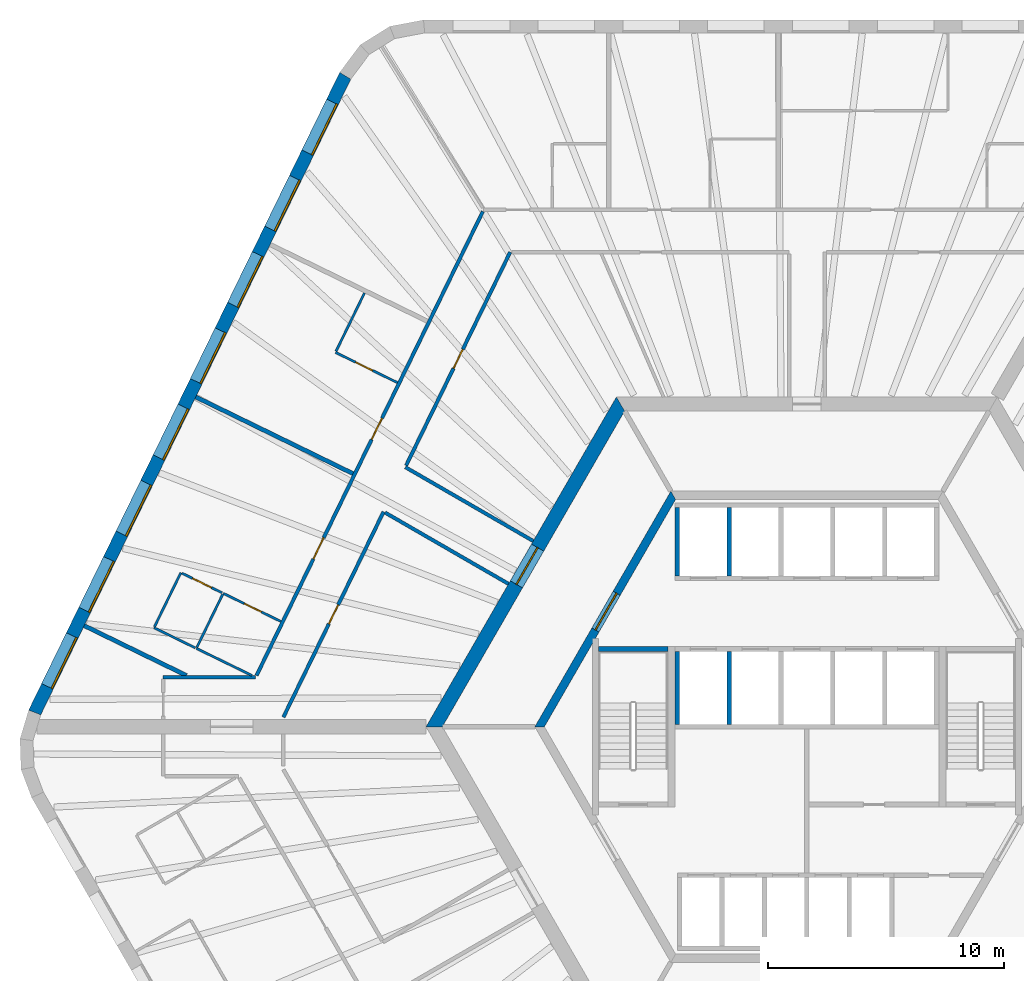
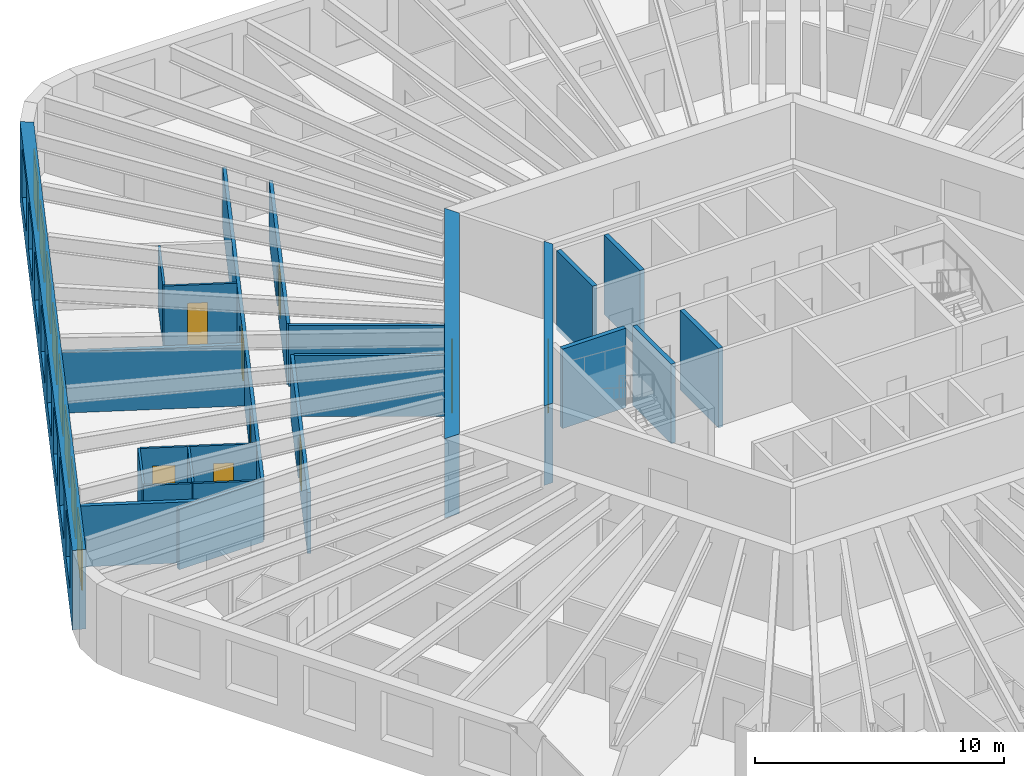
# One storey, part 7 of 12: 24 walls, 9 doors, 8 windows, 17 openings.
"""IFC4 building model written with IfcOpenShell, lengths in metres."""

import ifcopenshell
import ifcopenshell.guid

model = None  # the IFC model being written
_history = None  # IfcOwnerHistory: only IFC2X3 demands one
_inside = {}  # id of a spatial element -> (the spatial element, [elements in it])
_under = {}  # id of a project, library or spatial element -> (it, [spatial elements below it])
_declared = {}  # id of a project -> (the project, [libraries it declares])
_typed = {}  # id of a type object -> (the type object, [elements of that type])
_made_of = {}  # id of a material, layer set ... -> (it, [elements and type objects made of it])


def new_model(schema):
    """Start an empty IFC model of exactly this schema.

    Asked for "IFC4X3", IfcOpenShell would pick the latest addendum, in which some entities
    have other attributes; the version numbers below select the first issue.
    IFC2X3 requires an IfcOwnerHistory on every rooted entity: one is made here for all.
    """
    global model, _history
    if schema == "IFC4X3":
        model = ifcopenshell.file(schema_version=(4, 3, 0, 0))
    else:
        model = ifcopenshell.file(schema=schema)
    _inside.clear()
    _under.clear()
    _declared.clear()
    _typed.clear()
    _made_of.clear()
    _history = None
    if model.schema == "IFC2X3":
        org = make("IfcOrganization", Name="unknown")
        user = make(
            "IfcPersonAndOrganization",
            ThePerson=make("IfcPerson", FamilyName="unknown"),
            TheOrganization=org,
        )
        app = make(
            "IfcApplication",
            ApplicationDeveloper=org,
            Version="unknown",
            ApplicationFullName="unknown",
            ApplicationIdentifier="unknown",
        )
        _history = make(
            "IfcOwnerHistory",
            OwningUser=user,
            OwningApplication=app,
            ChangeAction="ADDED",
            CreationDate=0,
        )
    return model


def make(cls, **values):
    """One entity of the class cls with the attributes given. An attribute that is None is left unset."""
    return model.create_entity(
        cls, **{name: value for name, value in values.items() if value is not None}
    )


def rooted(cls, **values):
    """An entity with a GlobalId (a new one), such as an element, a storey or a relation."""
    return make(cls, GlobalId=ifcopenshell.guid.new(), OwnerHistory=_history, **values)


def si_unit(unit_type, name, prefix=None):
    """IfcSIUnit, for example si_unit("LENGTHUNIT", "METRE", prefix="MILLI")."""
    return make("IfcSIUnit", UnitType=unit_type, Prefix=prefix, Name=name)


def assignment(units):
    """IfcUnitAssignment: the units of a project."""
    return None if units is None else make("IfcUnitAssignment", Units=units)


def point(xyz):
    """IfcCartesianPoint."""
    return None if xyz is None else make("IfcCartesianPoint", Coordinates=xyz)


def direction(xyz):
    """IfcDirection."""
    return None if xyz is None else make("IfcDirection", DirectionRatios=xyz)


def frame(location, z_axis=None, x_axis=None):
    """IfcAxis2Placement3D, a coordinate frame: its origin and axes. An axis left out is left unset."""
    return make(
        "IfcAxis2Placement3D",
        Location=point(location),
        Axis=direction(z_axis),
        RefDirection=direction(x_axis),
    )


def frame_2d(location, x_axis=None):
    """IfcAxis2Placement2D, a coordinate frame in the plane: its origin and x axis."""
    return make(
        "IfcAxis2Placement2D", Location=point(location), RefDirection=direction(x_axis)
    )


def origin():
    """The frame at (0, 0, 0) with its axes left unset."""
    return frame((0.0, 0.0, 0.0))


def place(relative_to, where):
    """IfcLocalPlacement: puts the frame where relative to a parent placement (None: the world)."""
    return make(
        "IfcLocalPlacement", PlacementRelTo=relative_to, RelativePlacement=where
    )


def context(
    kind, dimensions, precision=None, world=None, true_north=None, identifier=None
):
    """IfcGeometricRepresentationContext, for example the 3D "Model" context."""
    return make(
        "IfcGeometricRepresentationContext",
        ContextIdentifier=identifier,
        ContextType=kind,
        CoordinateSpaceDimension=dimensions,
        Precision=precision,
        WorldCoordinateSystem=world,
        TrueNorth=true_north,
    )


def subcontext(parent, identifier, kind, view, scale=None):
    """IfcGeometricRepresentationSubContext, for example "Body" below "Model"."""
    return make(
        "IfcGeometricRepresentationSubContext",
        ContextIdentifier=identifier,
        ContextType=kind,
        ParentContext=parent,
        TargetScale=scale,
        TargetView=view,
    )


def project(units=None, contexts=None):
    """IfcProject with its units and contexts."""
    return rooted(
        "IfcProject",
        Name="project",
        RepresentationContexts=contexts,
        UnitsInContext=assignment(units),
    )


def spatial(cls, under=None, at=None, **own):
    """A site, building, storey or space (cls), placed at a placement, below another one or the project."""
    s = rooted(cls, ObjectPlacement=at, **own)
    if under is not None:
        _under.setdefault(under.id(), (under, []))[1].append(s)
    return s


def polyline(points):
    """IfcPolyline through the points."""
    return make("IfcPolyline", Points=[point(p) for p in points])


def profile(cls, at=None, kind="AREA", **sizes):
    """A parametric profile (cls). Its sizes go by their IFC names, for example OverallWidth=200.0."""
    return make(cls, ProfileType=kind, Position=at, **sizes)


def rectangle(**sizes):
    """IfcRectangleProfileDef."""
    return profile("IfcRectangleProfileDef", **sizes)


def outline(outer, holes=None, kind="AREA"):
    """IfcArbitraryClosedProfileDef: a profile drawn as a closed curve; with holes, ...WithVoids."""
    if holes is None:
        return make("IfcArbitraryClosedProfileDef", ProfileType=kind, OuterCurve=outer)
    return make(
        "IfcArbitraryProfileDefWithVoids",
        ProfileType=kind,
        OuterCurve=outer,
        InnerCurves=holes,
    )


def extrude(swept, where, along, depth):
    """IfcExtrudedAreaSolid: the profile swept, set in the frame where, extruded along a direction by depth."""
    return make(
        "IfcExtrudedAreaSolid",
        SweptArea=swept,
        Position=where,
        ExtrudedDirection=direction(along),
        Depth=depth,
    )


def shape(context_of_items, identifier, shape_type, items):
    """IfcShapeRepresentation: the items that make up one representation, for example the "Body"."""
    return make(
        "IfcShapeRepresentation",
        ContextOfItems=context_of_items,
        RepresentationIdentifier=identifier,
        RepresentationType=shape_type,
        Items=items,
    )


def material(Name=None, Category=None):
    """IfcMaterial."""
    return make("IfcMaterial", Name=Name, Category=Category)


def layer(
    of_material, thickness, ventilated=None, Name=None, Category=None, Priority=None
):
    """IfcMaterialLayer: one layer of a wall or slab, of a material (None: an air gap)."""
    return make(
        "IfcMaterialLayer",
        Material=of_material,
        LayerThickness=thickness,
        IsVentilated=ventilated,
        Name=Name,
        Category=Category,
        Priority=Priority,
    )


def layer_set(layers, Name=None):
    """IfcMaterialLayerSet."""
    return make("IfcMaterialLayerSet", MaterialLayers=layers, LayerSetName=Name)


def made_of(thing, what):
    """Note that an element or type object is made of a material, layer set ...; save() writes the relation."""
    if what is not None:
        _made_of.setdefault(what.id(), (what, []))[1].append(thing)
    return thing


def type_object(cls, material=None, **own):
    """A type object (cls), such as IfcWallType, which elements share."""
    return made_of(rooted(cls, **own), material)


def element(
    cls,
    number,
    at=None,
    inside=None,
    cuts=None,
    type_object=None,
    material=None,
    context=None,
    identifier="Body",
    shape_type=None,
    held_by="IfcProductDefinitionShape",
    body=None,
    shapes=None,
    **own,
):
    """One element of the class cls, such as IfcWall. Its Tag is "e" and its number.

    at: its placement. inside: the storey or other place that contains it. cuts: it is an
    opening in that element (IfcRelVoidsElement). A single representation is given by context,
    identifier, shape_type and body (its items); several are given by shapes. held_by: the class
    of the entity that holds the representations. save() writes the other relations.
    """
    e = rooted(cls, Tag="e%d" % number, ObjectPlacement=at, **own)
    if body is not None:
        shapes = [shape(context, identifier, shape_type, body)]
    if shapes is not None:
        e.Representation = make(held_by, Representations=shapes)
    if inside is not None:
        _inside.setdefault(inside.id(), (inside, []))[1].append(e)
    if cuts is not None:
        rooted(
            "IfcRelVoidsElement", RelatingBuildingElement=cuts, RelatedOpeningElement=e
        )
    if type_object is not None:
        _typed.setdefault(type_object.id(), (type_object, []))[1].append(e)
    return made_of(e, material)


def fill(opening, filler):
    """IfcRelFillsElement: the door or window that sits in an opening."""
    return rooted(
        "IfcRelFillsElement",
        RelatingOpeningElement=opening,
        RelatedBuildingElement=filler,
    )


def aggregate(whole, parts):
    """IfcRelAggregates: a whole, such as a stair, and the parts it consists of."""
    return rooted("IfcRelAggregates", RelatingObject=whole, RelatedObjects=parts)


def save(model, path):
    """Write the relations noted so far, then the file.

    IfcRelAggregates (storeys below a building ...), IfcRelContainedInSpatialStructure (elements
    in a storey), IfcRelDefinesByType, IfcRelAssociatesMaterial and IfcRelDeclares: one each for
    every whole, place, type object, material and project.
    """
    for whole, parts in _under.values():
        aggregate(whole, parts)
    for where, things in _inside.values():
        rooted(
            "IfcRelContainedInSpatialStructure",
            RelatedElements=things,
            RelatingStructure=where,
        )
    for kind, things in _typed.values():
        rooted("IfcRelDefinesByType", RelatedObjects=things, RelatingType=kind)
    for what, things in _made_of.values():
        rooted("IfcRelAssociatesMaterial", RelatedObjects=things, RelatingMaterial=what)
    for by, libraries in _declared.values():
        rooted("IfcRelDeclares", RelatingContext=by, RelatedDefinitions=libraries)
    model.write(path)


model = new_model("IFC4")

# Units and contexts
model_context = context("Model", 3, precision=1e-05, world=origin(), true_north=direction((0.0, 1.0)))
body_context = subcontext(model_context, "Body", "Model", "MODEL_VIEW")
ifc_project = project(units=[si_unit("LENGTHUNIT", "METRE"), si_unit("AREAUNIT", "SQUARE_METRE"), si_unit("VOLUMEUNIT", "CUBIC_METRE"), si_unit("PLANEANGLEUNIT", "RADIAN"), si_unit("MASSUNIT", "GRAM", prefix="KILO")], contexts=[model_context])

# Site, building, storey
site_placement = place(None, origin())
site = spatial("IfcSite", under=ifc_project, at=site_placement, CompositionType="ELEMENT")
building_placement = place(site_placement, origin())
building = spatial("IfcBuilding", under=site, at=building_placement, Name="Tarnside Tower", CompositionType="ELEMENT")
storey_placement = place(building_placement, frame((0.0, 0.0, 127.199951171875)))
storey = spatial("IfcBuildingStorey", under=building, at=storey_placement, Name="L29", CompositionType="ELEMENT", Elevation=127.199951171875)

# Wall, opening, door
ifc_material_1 = material(Name="Gypsum board partition on steel studs", Category="steel")
ifc_layer_1 = layer(ifc_material_1, 0.10009765625)
ifc_layer_set_1 = layer_set([ifc_layer_1], Name="Bathroom wall 100")
wall_type_1 = type_object("IfcWallType", Name="Bathroom wall 100", PredefinedType="PARTITIONING", material=ifc_layer_set_1)
wall_1_placement = place(storey_placement, frame((-17.380126953125, 14.6083984375, 0.0), z_axis=(0.0, 0.0, 1.0), x_axis=(-0.898790906006, 0.438377585285, 0.0)))
wall_1 = element("IfcWall", 1, at=wall_1_placement, inside=storey, type_object=wall_type_1, Name="Bathroom wall 09098", PredefinedType="PARTITIONING", context=body_context, shape_type="SweptSolid", body=[
    extrude(rectangle(XDim=2.925048828125, YDim=0.10009765625, at=frame_2d((1.46240234375, 0.0))), origin(), (0.0, 0.0, 1.0), 2.98779296875),
])
opening_1_placement = place(wall_1_placement, frame((1.175048828125, 0.0, 0.0)))
opening_1 = element("IfcOpeningElement", 2, at=opening_1_placement, cuts=wall_1, Name="Opening D-B1", PredefinedType="OPENING", context=body_context, shape_type="SweptSolid", body=[
    extrude(rectangle(XDim=0.800048828125, YDim=2.10009765625, at=frame_2d((0.39990234375, 1.050048828125))), frame((0.0, 0.06005859375, 0.0), z_axis=(0.0, -1.0, 0.0), x_axis=(1.0, 0.0, 0.0)), (0.0, 0.0, 1.0), 0.1201171875),
])
ifc_material_2 = material(Name="Timber door leaf", Category="wood")
door_type_1 = type_object("IfcDoorType", Name="Bathroom door 800", OperationType="NOTDEFINED", PredefinedType="DOOR", material=ifc_material_2)
door_1_placement = place(opening_1_placement, origin())
door_1 = element("IfcDoor", 3, at=door_1_placement, inside=storey, type_object=door_type_1, Name="Bathroom door 09010", OperationType="SINGLE_SWING_LEFT", OverallHeight=2.10009765625, OverallWidth=0.800048828125, PredefinedType="DOOR", context=body_context, shape_type="SweptSolid", body=[
    extrude(rectangle(XDim=0.800048828125, YDim=2.10009765625, at=frame_2d((0.39990234375, 1.050048828125))), frame((0.0, 0.02490234375, 0.0), z_axis=(0.0, -1.0, 0.0), x_axis=(1.0, 0.0, 0.0)), (0.0, 0.0, 1.0), 0.050048828125),
])
fill(opening_1, door_1)

# Walls
wall_2_placement = place(storey_placement, frame((-19.987060546875, 15.935546875, 0.0), z_axis=(0.0, 0.0, 1.0), x_axis=(0.438381805748, 0.898788847499, 0.0)))
element("IfcWall", 4, at=wall_2_placement, inside=storey, type_object=wall_type_1, Name="Bathroom wall 09099", PredefinedType="PARTITIONING", context=body_context, shape_type="SweptSolid", body=[
    extrude(rectangle(XDim=2.760009765625, YDim=0.10009765625, at=frame_2d((1.3798828125, 0.0))), origin(), (0.0, 0.0, 1.0), 2.98779296875),
])
wall_3_placement = place(storey_placement, frame((-23.551025390625, 2.175048828125, 0.0), z_axis=(0.0, 0.0, 1.0), x_axis=(-0.898821988063, 0.438313853049, 0.0)))
element("IfcWall", 5, at=wall_3_placement, inside=storey, type_object=wall_type_1, Name="Bathroom wall 09101", PredefinedType="PARTITIONING", context=body_context, shape_type="SweptSolid", body=[
    extrude(rectangle(XDim=2.629150390625, YDim=0.10009765625, at=frame_2d((1.314453125, 0.0))), origin(), (0.0, 0.0, 1.0), 2.98779296875),
])

# Wall, opening, door
wall_4_placement = place(storey_placement, frame((-24.774169921875, 5.664306640625, 0.0), z_axis=(0.0, 0.0, 1.0), x_axis=(0.898791692788, -0.43837597217, 0.0)))
wall_4 = element("IfcWall", 6, at=wall_4_placement, inside=storey, type_object=wall_type_1, Name="Bathroom wall 09102", PredefinedType="PARTITIONING", context=body_context, shape_type="SweptSolid", body=[
    extrude(rectangle(XDim=2.72509765625, YDim=0.10009765625, at=frame_2d((1.362548828125, 0.0))), origin(), (0.0, 0.0, 1.0), 2.98779296875),
])
opening_2_placement = place(wall_4_placement, frame((1.0, 0.0, 0.0)))
opening_2 = element("IfcOpeningElement", 7, at=opening_2_placement, cuts=wall_4, Name="Opening D-B1", PredefinedType="OPENING", context=body_context, shape_type="SweptSolid", body=[
    extrude(rectangle(XDim=0.800048828125, YDim=2.10009765625, at=frame_2d((0.39990234375, 1.050048828125))), frame((0.0, 0.06005859375, 0.0), z_axis=(0.0, -1.0, 0.0), x_axis=(1.0, 0.0, 0.0)), (0.0, 0.0, 1.0), 0.1201171875),
])
door_2_placement = place(opening_2_placement, origin())
door_2 = element("IfcDoor", 8, at=door_2_placement, inside=storey, type_object=door_type_1, Name="Bathroom door 09012", OperationType="SINGLE_SWING_LEFT", OverallHeight=2.10009765625, OverallWidth=0.800048828125, PredefinedType="DOOR", context=body_context, shape_type="SweptSolid", body=[
    extrude(rectangle(XDim=0.800048828125, YDim=2.10009765625, at=frame_2d((0.39990234375, 1.050048828125))), frame((0.0, 0.02490234375, 0.0), z_axis=(0.0, -1.0, 0.0), x_axis=(1.0, 0.0, 0.0)), (0.0, 0.0, 1.0), 0.050048828125),
])
fill(opening_2, door_2)

# Wall
wall_5_placement = place(storey_placement, frame((-24.796142578125, 5.619384765625, 0.0), z_axis=(0.0, 0.0, 1.0), x_axis=(-0.438363988158, -0.898797537761, 0.0)))
element("IfcWall", 9, at=wall_5_placement, inside=storey, type_object=wall_type_1, Name="Bathroom wall 09107", PredefinedType="PARTITIONING", context=body_context, shape_type="SweptSolid", body=[
    extrude(rectangle(XDim=2.5, YDim=0.10009765625, at=frame_2d((1.25, 0.0))), origin(), (0.0, 0.0, 1.0), 2.98779296875),
])

# Wall, opening, door
ifc_material_3 = material(Name="Concrete C50/60", Category="concrete")
ifc_layer_2 = layer(ifc_material_3, 0.35009765625)
ifc_layer_set_2 = layer_set([ifc_layer_2], Name="Core block wall 350 C50/60")
wall_type_2 = type_object("IfcWallType", Name="Core block wall 350 C50/60", PredefinedType="SHEAR", material=ifc_layer_set_2)
wall_6_placement = place(storey_placement, frame((-5.672607421875, 9.824951171875, -0.14990234375), z_axis=(0.0, 0.0, 1.0), x_axis=(-0.499995046907, -0.866028263435, 0.0)))
wall_6 = element("IfcWall", 10, at=wall_6_placement, inside=storey, type_object=wall_type_2, Name="L29 core block wall face 2", PredefinedType="SHEAR", context=body_context, shape_type="SweptSolid", body=[
    extrude(outline(polyline([(-0.10107421875, -0.175048828125), (11.44580078125, -0.175048828125), (11.24365234375, 0.175048828125), (0.10107421875, 0.175048828125), (-0.10107421875, -0.175048828125)])), origin(), (0.0, 0.0, 1.0), 3.89990234375),
])
opening_3_placement = place(wall_6_placement, frame((4.80126953125, 0.0, 0.14990234375)))
opening_3 = element("IfcOpeningElement", 11, at=opening_3_placement, cuts=wall_6, Name="Opening CD-LOB", PredefinedType="OPENING", context=body_context, shape_type="SweptSolid", body=[
    extrude(rectangle(XDim=1.800048828125, YDim=2.39990234375, at=frame_2d((0.89990234375, 1.199951171875))), frame((0.0, 0.18505859375, 0.0), z_axis=(0.0, -1.0, 0.0), x_axis=(1.0, 0.0, 0.0)), (0.0, 0.0, 1.0), 0.3701171875),
])
ifc_material_4 = material(Name="Steel fire door", Category="steel")
door_type_2 = type_object("IfcDoorType", Name="Lobby double door FD30S 1800x2400", OperationType="NOTDEFINED", PredefinedType="DOOR", material=ifc_material_4)
door_3_placement = place(opening_3_placement, origin())
door_3 = element("IfcDoor", 12, at=door_3_placement, inside=storey, type_object=door_type_2, Name="L29 lobby block door P1", OperationType="DOUBLE_DOOR_SINGLE_SWING", OverallHeight=2.39990234375, OverallWidth=1.800048828125, PredefinedType="DOOR", context=body_context, shape_type="SweptSolid", body=[
    extrude(rectangle(XDim=1.800048828125, YDim=2.39990234375, at=frame_2d((0.89990234375, 1.199951171875))), frame((0.0, 0.02490234375, 0.0), z_axis=(0.0, -1.0, 0.0), x_axis=(1.0, 0.0, 0.0)), (0.0, 0.0, 1.0), 0.050048828125),
])
fill(opening_3, door_3)

ifc_material_5 = material(Name="Concrete C80/95", Category="concrete")
ifc_layer_3 = layer(ifc_material_5, 0.60009765625)
ifc_layer_set_3 = layer_set([ifc_layer_3], Name="Core wall Z1 600 C80/95")
wall_type_3 = type_object("IfcWallType", Name="Core wall Z1 600 C80/95", PredefinedType="SHEAR", material=ifc_layer_set_3)
wall_7_placement = place(storey_placement, frame((-7.90966796875, 13.699951171875, -0.14990234375), z_axis=(0.0, 0.0, 1.0), x_axis=(-0.499999880136, -0.866025472988, 0.0)))
wall_7 = element("IfcWall", 13, at=wall_7_placement, inside=storey, type_object=wall_type_3, Name="L29 core wall face 2", PredefinedType="SHEAR", context=body_context, shape_type="SweptSolid", body=[
    extrude(outline(polyline([(-0.17333984375, -0.300048828125), (15.99267578125, -0.300048828125), (15.64599609375, 0.300048828125), (0.17333984375, 0.300048828125), (-0.17333984375, -0.300048828125)])), origin(), (0.0, 0.0, 1.0), 3.89990234375),
])
opening_4_placement = place(wall_7_placement, frame((7.03857421875, 0.0, 0.14990234375)))
opening_4 = element("IfcOpeningElement", 14, at=opening_4_placement, cuts=wall_7, Name="Opening CD-LOB", PredefinedType="OPENING", context=body_context, shape_type="SweptSolid", body=[
    extrude(rectangle(XDim=1.800048828125, YDim=2.39990234375, at=frame_2d((0.89990234375, 1.199951171875))), frame((0.0, 0.31005859375, 0.0), z_axis=(0.0, -1.0, 0.0), x_axis=(1.0, 0.0, 0.0)), (0.0, 0.0, 1.0), 0.6201171875),
])
door_4_placement = place(opening_4_placement, origin())
door_4 = element("IfcDoor", 15, at=door_4_placement, inside=storey, type_object=door_type_2, Name="L29 core door P1", OperationType="DOUBLE_DOOR_SINGLE_SWING", OverallHeight=2.39990234375, OverallWidth=1.800048828125, PredefinedType="DOOR", context=body_context, shape_type="SweptSolid", body=[
    extrude(rectangle(XDim=1.800048828125, YDim=2.39990234375, at=frame_2d((0.89990234375, 1.199951171875))), frame((0.0, 0.02490234375, 0.0), z_axis=(0.0, -1.0, 0.0), x_axis=(1.0, 0.0, 0.0)), (0.0, 0.0, 1.0), 0.050048828125),
])
fill(opening_4, door_4)

# Wall, openings, doors
ifc_layer_4 = layer(ifc_material_1, 0.14990234375)
ifc_layer_set_4 = layer_set([ifc_layer_4], Name="Corridor wall 150 EI 60")
wall_type_4 = type_object("IfcWallType", Name="Corridor wall 150 EI 60", PredefinedType="PARTITIONING", material=ifc_layer_set_4)
wall_8_placement = place(storey_placement, frame((-13.75244140625, 21.875, 0.0), z_axis=(0.0, 0.0, 1.0), x_axis=(-0.438374473378, -0.898792423806, 0.0)))
wall_8 = element("IfcWall", 16, at=wall_8_placement, inside=storey, type_object=wall_type_4, Name="Corridor wall 09009", PredefinedType="PARTITIONING", context=body_context, shape_type="SweptSolid", body=[
    extrude(rectangle(XDim=21.918212890625, YDim=0.14990234375, at=frame_2d((10.958984375, 0.0))), origin(), (0.0, 0.0, 1.0), 2.98779296875),
])
opening_5_placement = place(wall_8_placement, frame((9.771240234375, 0.0, 0.0)))
opening_5 = element("IfcOpeningElement", 17, at=opening_5_placement, cuts=wall_8, Name="Opening D-E1", PredefinedType="OPENING", context=body_context, shape_type="SweptSolid", body=[
    extrude(rectangle(XDim=1.0, YDim=2.10009765625, at=frame_2d((0.5, 1.050048828125))), frame((0.0, 0.0849609375, 0.0), z_axis=(0.0, -1.0, 0.0), x_axis=(1.0, 0.0, 0.0)), (0.0, 0.0, 1.0), 0.169921875),
])
opening_6_placement = place(wall_8_placement, frame((15.41162109375, 0.0, 0.0)))
opening_6 = element("IfcOpeningElement", 18, at=opening_6_placement, cuts=wall_8, Name="Opening D-E1", PredefinedType="OPENING", context=body_context, shape_type="SweptSolid", body=[
    extrude(rectangle(XDim=1.0, YDim=2.10009765625, at=frame_2d((0.5, 1.050048828125))), frame((0.0, 0.0849609375, 0.0), z_axis=(0.0, -1.0, 0.0), x_axis=(1.0, 0.0, 0.0)), (0.0, 0.0, 1.0), 0.169921875),
])
door_type_3 = type_object("IfcDoorType", Name="Unit entrance door 1000 FD30S", OperationType="NOTDEFINED", PredefinedType="DOOR", material=ifc_material_2)
door_5_placement = place(opening_5_placement, origin())
door_5 = element("IfcDoor", 19, at=door_5_placement, inside=storey, type_object=door_type_3, Name="Unit door 09009", OperationType="SINGLE_SWING_RIGHT", OverallHeight=2.10009765625, OverallWidth=1.0, PredefinedType="DOOR", context=body_context, shape_type="SweptSolid", body=[
    extrude(rectangle(XDim=1.0, YDim=2.10009765625, at=frame_2d((0.5, 1.050048828125))), frame((0.0, 0.02490234375, 0.0), z_axis=(0.0, -1.0, 0.0), x_axis=(1.0, 0.0, 0.0)), (0.0, 0.0, 1.0), 0.050048828125),
])
fill(opening_5, door_5)
door_6_placement = place(opening_6_placement, origin())
door_6 = element("IfcDoor", 20, at=door_6_placement, inside=storey, type_object=door_type_3, Name="Unit door 09011", OperationType="SINGLE_SWING_LEFT", OverallHeight=2.10009765625, OverallWidth=1.0, PredefinedType="DOOR", context=body_context, shape_type="SweptSolid", body=[
    extrude(rectangle(XDim=1.0, YDim=2.10009765625, at=frame_2d((0.5, 1.050048828125))), frame((0.0, 0.02490234375, 0.0), z_axis=(0.0, -1.0, 0.0), x_axis=(1.0, 0.0, 0.0)), (0.0, 0.0, 1.0), 0.050048828125),
])
fill(opening_6, door_6)

# Walls
wall_9_placement = place(storey_placement, frame((-23.3974609375, 2.10009765625, 0.0), z_axis=(0.0, 0.0, 1.0), x_axis=(-1.0, 0.0, 0.0)))
element("IfcWall", 21, at=wall_9_placement, inside=storey, type_object=wall_type_4, Name="Corridor wall 09012", PredefinedType="PARTITIONING", context=body_context, shape_type="SweptSolid", body=[
    extrude(rectangle(XDim=3.9228515625, YDim=0.14990234375, at=frame_2d((1.96142578125, 0.0))), origin(), (0.0, 0.0, 1.0), 2.98779296875),
])
wall_10_placement = place(storey_placement, frame((-11.61376953125, 7.88427734375, 0.0), z_axis=(0.0, 0.0, 1.0), x_axis=(-0.866025438137, 0.4999999405, 0.0)))
element("IfcWall", 22, at=wall_10_placement, inside=storey, type_object=wall_type_4, Name="Corridor wall 09019", PredefinedType="PARTITIONING", context=body_context, shape_type="SweptSolid", body=[
    extrude(rectangle(XDim=6.2705078125, YDim=0.14990234375, at=frame_2d((3.13525390625, 0.0))), origin(), (0.0, 0.0, 1.0), 2.98779296875),
])

# Wall, opening, door
wall_11_placement = place(storey_placement, frame((-17.01123046875, 11.087158203125, 0.0), z_axis=(0.0, 0.0, 1.0), x_axis=(0.43836877185, 0.898795204631, 0.0)))
wall_11 = element("IfcWall", 23, at=wall_11_placement, inside=storey, type_object=wall_type_4, Name="Corridor wall 09020", PredefinedType="PARTITIONING", context=body_context, shape_type="SweptSolid", body=[
    extrude(rectangle(XDim=10.083251953125, YDim=0.14990234375, at=frame_2d((5.04150390625, 0.0))), origin(), (0.0, 0.0, 1.0), 2.98779296875),
])
opening_7_placement = place(wall_11_placement, frame((4.591552734375, 0.0, 0.0)))
opening_7 = element("IfcOpeningElement", 24, at=opening_7_placement, cuts=wall_11, Name="Opening D-S1", PredefinedType="OPENING", context=body_context, shape_type="SweptSolid", body=[
    extrude(rectangle(XDim=0.89990234375, YDim=2.10009765625, at=frame_2d((0.449951171875, 1.050048828125))), frame((0.0, 0.0849609375, 0.0), z_axis=(0.0, -1.0, 0.0), x_axis=(1.0, 0.0, 0.0)), (0.0, 0.0, 1.0), 0.169921875),
])
door_type_4 = type_object("IfcDoorType", Name="Service room door 900 FD30S", OperationType="NOTDEFINED", PredefinedType="DOOR", material=ifc_material_2)
door_7_placement = place(opening_7_placement, origin())
door_7 = element("IfcDoor", 25, at=door_7_placement, inside=storey, type_object=door_type_4, Name="Service door 09046", OperationType="SINGLE_SWING_LEFT", OverallHeight=2.10009765625, OverallWidth=0.89990234375, PredefinedType="DOOR", context=body_context, shape_type="SweptSolid", body=[
    extrude(rectangle(XDim=0.89990234375, YDim=2.10009765625, at=frame_2d((0.449951171875, 1.050048828125))), frame((0.0, 0.02490234375, 0.0), z_axis=(0.0, -1.0, 0.0), x_axis=(1.0, 0.0, 0.0)), (0.0, 0.0, 1.0), 0.050048828125),
])
fill(opening_7, door_7)

wall_12_placement = place(storey_placement, frame((-22.218994140625, 0.41015625, 0.0), z_axis=(0.0, 0.0, 1.0), x_axis=(0.438391891827, 0.898783927972, 0.0)))
wall_12 = element("IfcWall", 26, at=wall_12_placement, inside=storey, type_object=wall_type_4, Name="Corridor wall 09025", PredefinedType="PARTITIONING", context=body_context, shape_type="SweptSolid", body=[
    extrude(rectangle(XDim=9.698974609375, YDim=0.14990234375, at=frame_2d((4.849609375, 0.0))), origin(), (0.0, 0.0, 1.0), 2.98779296875),
])
opening_8_placement = place(wall_12_placement, frame((4.399658203125, 0.0, 0.0)))
opening_8 = element("IfcOpeningElement", 27, at=opening_8_placement, cuts=wall_12, Name="Opening D-S1", PredefinedType="OPENING", context=body_context, shape_type="SweptSolid", body=[
    extrude(rectangle(XDim=0.89990234375, YDim=2.10009765625, at=frame_2d((0.449951171875, 1.050048828125))), frame((0.0, 0.0849609375, 0.0), z_axis=(0.0, -1.0, 0.0), x_axis=(1.0, 0.0, 0.0)), (0.0, 0.0, 1.0), 0.169921875),
])
door_8_placement = place(opening_8_placement, origin())
door_8 = element("IfcDoor", 28, at=door_8_placement, inside=storey, type_object=door_type_4, Name="Service door 09048", OperationType="SINGLE_SWING_LEFT", OverallHeight=2.10009765625, OverallWidth=0.89990234375, PredefinedType="DOOR", context=body_context, shape_type="SweptSolid", body=[
    extrude(rectangle(XDim=0.89990234375, YDim=2.10009765625, at=frame_2d((0.449951171875, 1.050048828125))), frame((0.0, 0.02490234375, 0.0), z_axis=(0.0, -1.0, 0.0), x_axis=(1.0, 0.0, 0.0)), (0.0, 0.0, 1.0), 0.050048828125),
])
fill(opening_8, door_8)

# Walls
wall_13_placement = place(storey_placement, frame((-17.902099609375, 9.08984375, 0.0), z_axis=(0.0, 0.0, 1.0), x_axis=(0.866036368755, -0.499981007633, 0.0)))
element("IfcWall", 29, at=wall_13_placement, inside=storey, type_object=wall_type_4, Name="Corridor wall 09026", PredefinedType="PARTITIONING", context=body_context, shape_type="SweptSolid", body=[
    extrude(rectangle(XDim=6.048583984375, YDim=0.14990234375, at=frame_2d((3.0244140625, 0.0))), origin(), (0.0, 0.0, 1.0), 2.98779296875),
])
ifc_layer_5 = layer(ifc_material_1, 0.179931640625)
ifc_layer_set_5 = layer_set([ifc_layer_5], Name="Demising wall 180 EI 60")
wall_type_5 = type_object("IfcWallType", Name="Demising wall 180 EI 60", PredefinedType="PARTITIONING", material=ifc_layer_set_5)
wall_14_placement = place(storey_placement, frame((-25.9384765625, 13.99853515625, 0.0), z_axis=(0.0, 0.0, 1.0), x_axis=(0.898789933843, -0.438379578473, 0.0)))
element("IfcWall", 30, at=wall_14_placement, inside=storey, type_object=wall_type_5, Name="Demising wall 09100", PredefinedType="PARTITIONING", context=body_context, shape_type="SweptSolid", body=[
    extrude(rectangle(XDim=7.4248046875, YDim=0.179931640625, at=frame_2d((3.71240234375, 0.0))), origin(), (0.0, 0.0, 1.0), 2.98779296875),
])
wall_15_placement = place(storey_placement, frame((-30.673095703125, 4.29150390625, 0.0), z_axis=(0.0, 0.0, 1.0), x_axis=(0.898812662672, -0.438332975512, 0.0)))
element("IfcWall", 31, at=wall_15_placement, inside=storey, type_object=wall_type_5, Name="Demising wall 09106", PredefinedType="PARTITIONING", context=body_context, shape_type="SweptSolid", body=[
    extrude(rectangle(XDim=4.828369140625, YDim=0.179931640625, at=frame_2d((2.4140625, 0.0))), origin(), (0.0, 0.0, 1.0), 2.98779296875),
])
ifc_material_6 = material(Name="Concrete C40/50", Category="concrete")
ifc_layer_6 = layer(ifc_material_6, 0.199951171875)
ifc_layer_set_6 = layer_set([ifc_layer_6], Name="Lift shaft wall 200 C40/50")
wall_type_6 = type_object("IfcWallType", Name="Lift shaft wall 200 C40/50", PredefinedType="SHEAR", material=ifc_layer_set_6)
for number, where, z_axis, x_axis, name in (
    (32, (-5.5, 6.39990234375, -0.25), (0.0, 0.0, 1.0), (0.0, 1.0, 0.0), "L29 lift shaft partition R11"),
    (33, (-3.300048828125, 6.39990234375, -0.25), (0.0, 0.0, 1.0), (0.0, 1.0, 0.0), "L29 lift shaft partition R12"),
):
    element("IfcWall", number, at=place(storey_placement, frame(where, z_axis=z_axis, x_axis=x_axis)), inside=storey, type_object=wall_type_6, Name=name, PredefinedType="SHEAR", context=body_context, shape_type="SweptSolid", body=[
        extrude(rectangle(XDim=2.900146484375, YDim=0.199951171875, at=frame_2d((1.4501953125, 0.0))), origin(), (0.0, 0.0, 1.0), 3.900146484375),
    ])
for number, where, z_axis, x_axis, name in (
    (34, (-5.5, 0.10009765625, -0.25), (0.0, 0.0, 1.0), (0.0, 1.0, 0.0), "L29 lift shaft partition R21"),
    (35, (-3.300048828125, 0.10009765625, -0.25), (0.0, 0.0, 1.0), (0.0, 1.0, 0.0), "L29 lift shaft partition R22"),
):
    element("IfcWall", number, at=place(storey_placement, frame(where, z_axis=z_axis, x_axis=x_axis)), inside=storey, type_object=wall_type_6, Name=name, PredefinedType="SHEAR", context=body_context, shape_type="SweptSolid", body=[
        extrude(rectangle(XDim=3.099853515625, YDim=0.199951171875, at=frame_2d((1.5498046875, 0.0))), origin(), (0.0, 0.0, 1.0), 3.900146484375),
    ])
wall_16_placement = place(storey_placement, frame((-8.85009765625, 3.300048828125, -0.25), z_axis=(0.0, 0.0, 1.0), x_axis=(1.0, 0.0, 0.0)))
element("IfcWall", 36, at=wall_16_placement, inside=storey, type_object=wall_type_6, Name="L29 stair 2 enclosure cap wall n", PredefinedType="SHEAR", context=body_context, shape_type="SweptSolid", body=[
    extrude(rectangle(XDim=2.9501953125, YDim=0.199951171875, at=frame_2d((1.47509765625, 0.0))), origin(), (0.0, 0.0, 1.0), 3.900146484375),
])
ifc_layer_7 = layer(ifc_material_1, 0.10009765625)
ifc_layer_set_7 = layer_set([ifc_layer_7], Name="Partition 100")
wall_type_7 = type_object("IfcWallType", Name="Partition 100", PredefinedType="PARTITIONING", material=ifc_layer_set_7)
wall_17_placement = place(storey_placement, frame((-25.958984375, 3.349365234375, 0.0), z_axis=(0.0, 0.0, 1.0), x_axis=(-0.898815368173, 0.438327427772, 0.0)))
element("IfcWall", 37, at=wall_17_placement, inside=storey, type_object=wall_type_7, Name="Partition wall 09103", PredefinedType="PARTITIONING", context=body_context, shape_type="SweptSolid", body=[
    extrude(rectangle(XDim=1.949951171875, YDim=0.10009765625, at=frame_2d((0.97509765625, 0.0))), origin(), (0.0, 0.0, 1.0), 2.98779296875),
])
wall_18_placement = place(storey_placement, frame((-27.689697265625, 4.2490234375, 0.0), z_axis=(0.0, 0.0, 1.0), x_axis=(0.438384020656, 0.898787767181, 0.0)))
element("IfcWall", 38, at=wall_18_placement, inside=storey, type_object=wall_type_7, Name="Partition wall 09104", PredefinedType="PARTITIONING", context=body_context, shape_type="SweptSolid", body=[
    extrude(rectangle(XDim=2.550048828125, YDim=0.10009765625, at=frame_2d((1.27490234375, 0.0))), origin(), (0.0, 0.0, 1.0), 2.98779296875),
])

# Wall, opening, door
wall_19_placement = place(storey_placement, frame((-26.52685546875, 6.51904296875, 0.0), z_axis=(0.0, 0.0, 1.0), x_axis=(0.898828949337, -0.438299577725, 0.0)))
wall_19 = element("IfcWall", 39, at=wall_19_placement, inside=storey, type_object=wall_type_7, Name="Partition wall 09105", PredefinedType="PARTITIONING", context=body_context, shape_type="SweptSolid", body=[
    extrude(rectangle(XDim=1.89990234375, YDim=0.10009765625, at=frame_2d((0.949951171875, 0.0))), origin(), (0.0, 0.0, 1.0), 2.98779296875),
])
opening_9_placement = place(wall_19_placement, frame((0.5, 0.0, 0.0)))
opening_9 = element("IfcOpeningElement", 40, at=opening_9_placement, cuts=wall_19, Name="Opening D-I1", PredefinedType="OPENING", context=body_context, shape_type="SweptSolid", body=[
    extrude(rectangle(XDim=0.89990234375, YDim=2.10009765625, at=frame_2d((0.449951171875, 1.050048828125))), frame((0.0, 0.06005859375, 0.0), z_axis=(0.0, -1.0, 0.0), x_axis=(1.0, 0.0, 0.0)), (0.0, 0.0, 1.0), 0.1201171875),
])
door_type_5 = type_object("IfcDoorType", Name="Internal door 900", OperationType="NOTDEFINED", PredefinedType="DOOR", material=ifc_material_2)
door_9_placement = place(opening_9_placement, origin())
door_9 = element("IfcDoor", 41, at=door_9_placement, inside=storey, type_object=door_type_5, Name="Internal door 09013", OperationType="SINGLE_SWING_RIGHT", OverallHeight=2.10009765625, OverallWidth=0.89990234375, PredefinedType="DOOR", context=body_context, shape_type="SweptSolid", body=[
    extrude(rectangle(XDim=0.89990234375, YDim=2.10009765625, at=frame_2d((0.449951171875, 1.050048828125))), frame((0.0, 0.02490234375, 0.0), z_axis=(0.0, -1.0, 0.0), x_axis=(1.0, 0.0, 0.0)), (0.0, 0.0, 1.0), 0.050048828125),
])
fill(opening_9, door_9)

# Wall, openings, windows
ifc_material_7 = material(Name="Facing brick", Category="masonry")
ifc_layer_8 = layer(ifc_material_7, 0.10205078125)
ifc_material_8 = material(Name="Concrete C60/75 precast", Category="concrete")
ifc_layer_9 = layer(ifc_material_8, 0.347900390625)
ifc_material_9 = material(Name="Mineral wool insulation")
ifc_layer_10 = layer(ifc_material_9, 0.10009765625)
ifc_layer_set_8 = layer_set([ifc_layer_8, ifc_layer_9, ifc_layer_10], Name="Tube wall 550 brick faced")
wall_type_8 = type_object("IfcWallType", Name="Tube wall 550 brick faced", PredefinedType="SOLIDWALL", material=ifc_layer_set_8)
wall_20_placement = place(storey_placement, frame((-19.5947265625, 27.6328125, -0.14990234375), z_axis=(0.0, 0.0, 1.0), x_axis=(-0.438368285794, -0.898795441694, 0.0)))
wall_20 = element("IfcWall", 42, at=wall_20_placement, inside=storey, type_object=wall_type_8, Name="Tube wall L29 F2 flush 04", PredefinedType="SOLIDWALL", context=body_context, shape_type="SweptSolid", body=[
    extrude(outline(polyline([(-0.025634765625, -0.27490234375), (30.09326171875, -0.27490234375), (30.04833984375, 0.27490234375), (0.025634765625, 0.27490234375), (-0.025634765625, -0.27490234375)])), origin(), (0.0, 0.0, 1.0), 3.89990234375),
])
opening_10_placement = place(wall_20_placement, frame((1.235595703125, 0.0, 1.050048828125)))
opening_10 = element("IfcOpeningElement", 43, at=opening_10_placement, cuts=wall_20, Name="Opening WH", PredefinedType="OPENING", context=body_context, shape_type="SweptSolid", body=[
    extrude(rectangle(XDim=2.39990234375, YDim=2.39990234375, at=frame_2d((1.199951171875, 1.199951171875))), frame((0.0, 0.28515625, 0.0), z_axis=(0.0, -1.0, 0.0), x_axis=(1.0, 0.0, 0.0)), (0.0, 0.0, 1.0), 0.570068359375),
])
opening_11_placement = place(wall_20_placement, frame((4.83544921875, 0.0, 1.050048828125)))
opening_11 = element("IfcOpeningElement", 44, at=opening_11_placement, cuts=wall_20, Name="Opening WH", PredefinedType="OPENING", context=body_context, shape_type="SweptSolid", body=[
    extrude(rectangle(XDim=2.39990234375, YDim=2.39990234375, at=frame_2d((1.199951171875, 1.199951171875))), frame((0.0, 0.28515625, 0.0), z_axis=(0.0, -1.0, 0.0), x_axis=(1.0, 0.0, 0.0)), (0.0, 0.0, 1.0), 0.570068359375),
])
opening_12_placement = place(wall_20_placement, frame((8.435546875, 0.0, 1.050048828125)))
opening_12 = element("IfcOpeningElement", 45, at=opening_12_placement, cuts=wall_20, Name="Opening WH", PredefinedType="OPENING", context=body_context, shape_type="SweptSolid", body=[
    extrude(rectangle(XDim=2.39990234375, YDim=2.39990234375, at=frame_2d((1.199951171875, 1.199951171875))), frame((0.0, 0.28515625, 0.0), z_axis=(0.0, -1.0, 0.0), x_axis=(1.0, 0.0, 0.0)), (0.0, 0.0, 1.0), 0.570068359375),
])
opening_13_placement = place(wall_20_placement, frame((12.035400390625, 0.0, 1.050048828125)))
opening_13 = element("IfcOpeningElement", 46, at=opening_13_placement, cuts=wall_20, Name="Opening WH", PredefinedType="OPENING", context=body_context, shape_type="SweptSolid", body=[
    extrude(rectangle(XDim=2.39990234375, YDim=2.39990234375, at=frame_2d((1.199951171875, 1.199951171875))), frame((0.0, 0.28515625, 0.0), z_axis=(0.0, -1.0, 0.0), x_axis=(1.0, 0.0, 0.0)), (0.0, 0.0, 1.0), 0.570068359375),
])
opening_14_placement = place(wall_20_placement, frame((15.635498046875, 0.0, 1.050048828125)))
opening_14 = element("IfcOpeningElement", 47, at=opening_14_placement, cuts=wall_20, Name="Opening WH", PredefinedType="OPENING", context=body_context, shape_type="SweptSolid", body=[
    extrude(rectangle(XDim=2.39990234375, YDim=2.39990234375, at=frame_2d((1.199951171875, 1.199951171875))), frame((0.0, 0.28515625, 0.0), z_axis=(0.0, -1.0, 0.0), x_axis=(1.0, 0.0, 0.0)), (0.0, 0.0, 1.0), 0.570068359375),
])
opening_15_placement = place(wall_20_placement, frame((19.235595703125, 0.0, 1.050048828125)))
opening_15 = element("IfcOpeningElement", 48, at=opening_15_placement, cuts=wall_20, Name="Opening WH", PredefinedType="OPENING", context=body_context, shape_type="SweptSolid", body=[
    extrude(rectangle(XDim=2.39990234375, YDim=2.39990234375, at=frame_2d((1.199951171875, 1.199951171875))), frame((0.0, 0.28515625, 0.0), z_axis=(0.0, -1.0, 0.0), x_axis=(1.0, 0.0, 0.0)), (0.0, 0.0, 1.0), 0.570068359375),
])
opening_16_placement = place(wall_20_placement, frame((22.83544921875, 0.0, 1.050048828125)))
opening_16 = element("IfcOpeningElement", 49, at=opening_16_placement, cuts=wall_20, Name="Opening WH", PredefinedType="OPENING", context=body_context, shape_type="SweptSolid", body=[
    extrude(rectangle(XDim=2.39990234375, YDim=2.39990234375, at=frame_2d((1.199951171875, 1.199951171875))), frame((0.0, 0.28515625, 0.0), z_axis=(0.0, -1.0, 0.0), x_axis=(1.0, 0.0, 0.0)), (0.0, 0.0, 1.0), 0.570068359375),
])
opening_17_placement = place(wall_20_placement, frame((26.435546875, 0.0, 1.050048828125)))
opening_17 = element("IfcOpeningElement", 50, at=opening_17_placement, cuts=wall_20, Name="Opening WH", PredefinedType="OPENING", context=body_context, shape_type="SweptSolid", body=[
    extrude(rectangle(XDim=2.39990234375, YDim=2.39990234375, at=frame_2d((1.199951171875, 1.199951171875))), frame((0.0, 0.28515625, 0.0), z_axis=(0.0, -1.0, 0.0), x_axis=(1.0, 0.0, 0.0)), (0.0, 0.0, 1.0), 0.570068359375),
])
ifc_material_10 = material(Name="Aluminium-framed double glazing", Category="aluminium")
window_type = type_object("IfcWindowType", Name="Hotel window 2400 x 2400", PartitioningType="DOUBLE_PANEL_VERTICAL", PredefinedType="WINDOW", material=ifc_material_10)
window_1_placement = place(opening_10_placement, frame((0.0, 0.205078125, 0.0)))
window_1 = element("IfcWindow", 51, at=window_1_placement, inside=storey, type_object=window_type, Name="E.WN.L29.F2.00", OverallHeight=2.39990234375, OverallWidth=2.39990234375, PartitioningType="DOUBLE_PANEL_VERTICAL", PredefinedType="WINDOW", context=body_context, shape_type="SweptSolid", body=[
    extrude(rectangle(XDim=2.39990234375, YDim=2.39990234375, at=frame_2d((1.199951171875, 1.199951171875))), frame((0.0, 0.030029296875, 0.0), z_axis=(0.0, -1.0, 0.0), x_axis=(1.0, 0.0, 0.0)), (0.0, 0.0, 1.0), 0.06005859375),
])
fill(opening_10, window_1)
window_2_placement = place(opening_11_placement, frame((0.0, 0.205078125, 0.0)))
window_2 = element("IfcWindow", 52, at=window_2_placement, inside=storey, type_object=window_type, Name="E.WN.L29.F2.01", OverallHeight=2.39990234375, OverallWidth=2.39990234375, PartitioningType="DOUBLE_PANEL_VERTICAL", PredefinedType="WINDOW", context=body_context, shape_type="SweptSolid", body=[
    extrude(rectangle(XDim=2.39990234375, YDim=2.39990234375, at=frame_2d((1.199951171875, 1.199951171875))), frame((0.0, 0.030029296875, 0.0), z_axis=(0.0, -1.0, 0.0), x_axis=(1.0, 0.0, 0.0)), (0.0, 0.0, 1.0), 0.06005859375),
])
fill(opening_11, window_2)
window_3_placement = place(opening_12_placement, frame((0.0, 0.205078125, 0.0)))
window_3 = element("IfcWindow", 53, at=window_3_placement, inside=storey, type_object=window_type, Name="E.WN.L29.F2.02", OverallHeight=2.39990234375, OverallWidth=2.39990234375, PartitioningType="DOUBLE_PANEL_VERTICAL", PredefinedType="WINDOW", context=body_context, shape_type="SweptSolid", body=[
    extrude(rectangle(XDim=2.39990234375, YDim=2.39990234375, at=frame_2d((1.199951171875, 1.199951171875))), frame((0.0, 0.030029296875, 0.0), z_axis=(0.0, -1.0, 0.0), x_axis=(1.0, 0.0, 0.0)), (0.0, 0.0, 1.0), 0.06005859375),
])
fill(opening_12, window_3)
window_4_placement = place(opening_13_placement, frame((0.0, 0.205078125, 0.0)))
window_4 = element("IfcWindow", 54, at=window_4_placement, inside=storey, type_object=window_type, Name="E.WN.L29.F2.03", OverallHeight=2.39990234375, OverallWidth=2.39990234375, PartitioningType="DOUBLE_PANEL_VERTICAL", PredefinedType="WINDOW", context=body_context, shape_type="SweptSolid", body=[
    extrude(rectangle(XDim=2.39990234375, YDim=2.39990234375, at=frame_2d((1.199951171875, 1.199951171875))), frame((0.0, 0.030029296875, 0.0), z_axis=(0.0, -1.0, 0.0), x_axis=(1.0, 0.0, 0.0)), (0.0, 0.0, 1.0), 0.06005859375),
])
fill(opening_13, window_4)
window_5_placement = place(opening_14_placement, frame((0.0, 0.205078125, 0.0)))
window_5 = element("IfcWindow", 55, at=window_5_placement, inside=storey, type_object=window_type, Name="E.WN.L29.F2.04", OverallHeight=2.39990234375, OverallWidth=2.39990234375, PartitioningType="DOUBLE_PANEL_VERTICAL", PredefinedType="WINDOW", context=body_context, shape_type="SweptSolid", body=[
    extrude(rectangle(XDim=2.39990234375, YDim=2.39990234375, at=frame_2d((1.199951171875, 1.199951171875))), frame((0.0, 0.030029296875, 0.0), z_axis=(0.0, -1.0, 0.0), x_axis=(1.0, 0.0, 0.0)), (0.0, 0.0, 1.0), 0.06005859375),
])
fill(opening_14, window_5)
window_6_placement = place(opening_15_placement, frame((0.0, 0.205078125, 0.0)))
window_6 = element("IfcWindow", 56, at=window_6_placement, inside=storey, type_object=window_type, Name="E.WN.L29.F2.05", OverallHeight=2.39990234375, OverallWidth=2.39990234375, PartitioningType="DOUBLE_PANEL_VERTICAL", PredefinedType="WINDOW", context=body_context, shape_type="SweptSolid", body=[
    extrude(rectangle(XDim=2.39990234375, YDim=2.39990234375, at=frame_2d((1.199951171875, 1.199951171875))), frame((0.0, 0.030029296875, 0.0), z_axis=(0.0, -1.0, 0.0), x_axis=(1.0, 0.0, 0.0)), (0.0, 0.0, 1.0), 0.06005859375),
])
fill(opening_15, window_6)
window_7_placement = place(opening_16_placement, frame((0.0, 0.205078125, 0.0)))
window_7 = element("IfcWindow", 57, at=window_7_placement, inside=storey, type_object=window_type, Name="E.WN.L29.F2.06", OverallHeight=2.39990234375, OverallWidth=2.39990234375, PartitioningType="DOUBLE_PANEL_VERTICAL", PredefinedType="WINDOW", context=body_context, shape_type="SweptSolid", body=[
    extrude(rectangle(XDim=2.39990234375, YDim=2.39990234375, at=frame_2d((1.199951171875, 1.199951171875))), frame((0.0, 0.030029296875, 0.0), z_axis=(0.0, -1.0, 0.0), x_axis=(1.0, 0.0, 0.0)), (0.0, 0.0, 1.0), 0.06005859375),
])
fill(opening_16, window_7)
window_8_placement = place(opening_17_placement, frame((0.0, 0.205078125, 0.0)))
window_8 = element("IfcWindow", 58, at=window_8_placement, inside=storey, type_object=window_type, Name="E.WN.L29.F2.07", OverallHeight=2.39990234375, OverallWidth=2.39990234375, PartitioningType="DOUBLE_PANEL_VERTICAL", PredefinedType="WINDOW", context=body_context, shape_type="SweptSolid", body=[
    extrude(rectangle(XDim=2.39990234375, YDim=2.39990234375, at=frame_2d((1.199951171875, 1.199951171875))), frame((0.0, 0.030029296875, 0.0), z_axis=(0.0, -1.0, 0.0), x_axis=(1.0, 0.0, 0.0)), (0.0, 0.0, 1.0), 0.06005859375),
])
fill(opening_17, window_8)

save(model, "model.ifc")
